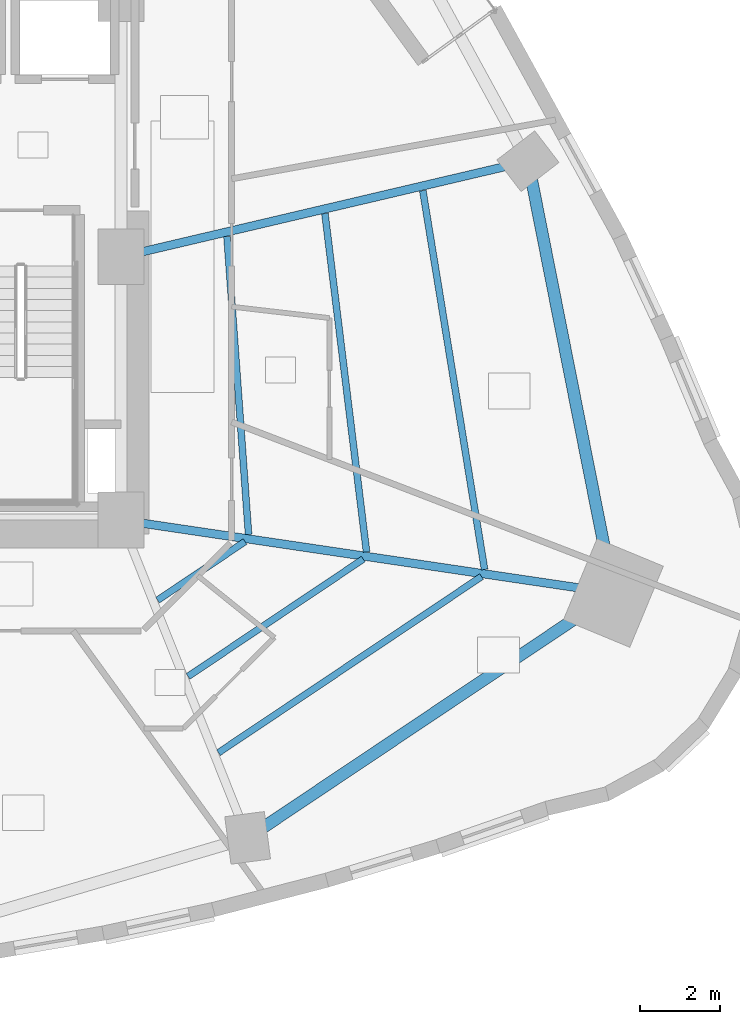
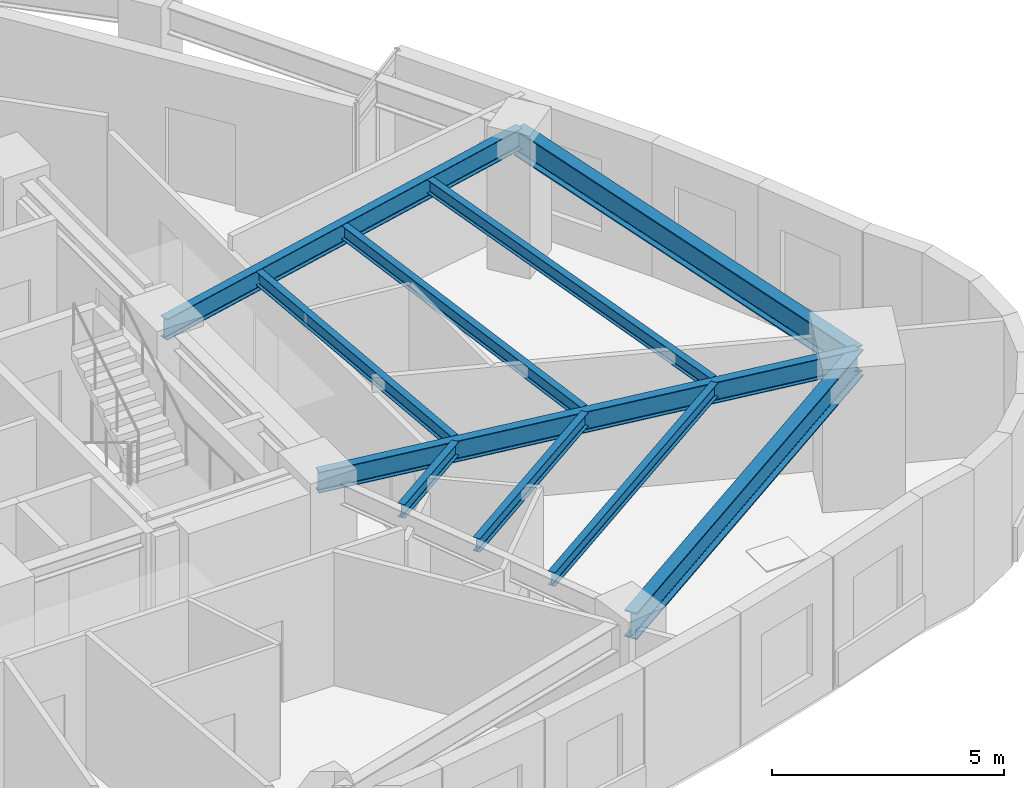
# One storey, part 3 of 15: 10 beams.
"""IFC4 building model written with IfcOpenShell, lengths in metres."""

from ifc_helpers import new_model, si_unit, direction, frame, origin, origin_2d, place, context, subcontext, project, spatial, i_section, extrude, material, material_profile, profile_set, type_object, element, save


model = new_model("IFC4")

# Units and contexts
model_context = context("Model", 3, precision=1e-05, world=origin(), true_north=direction((0.0, 1.0)))
body_context = subcontext(model_context, "Body", "Model", "MODEL_VIEW")
ifc_project = project(units=[si_unit("LENGTHUNIT", "METRE"), si_unit("AREAUNIT", "SQUARE_METRE"), si_unit("VOLUMEUNIT", "CUBIC_METRE"), si_unit("PLANEANGLEUNIT", "RADIAN"), si_unit("MASSUNIT", "GRAM", prefix="KILO")], contexts=[model_context])

# Site, building, storey
site_placement = place(None, origin())
site = spatial("IfcSite", under=ifc_project, at=site_placement, CompositionType="ELEMENT")
building_placement = place(site_placement, origin())
building = spatial("IfcBuilding", under=site, at=building_placement, Name="Ndelora Gate Hotel", CompositionType="ELEMENT")
storey_placement = place(building_placement, frame((0.0, 0.0, 53.0)))
storey = spatial("IfcBuildingStorey", under=building, at=storey_placement, Name="L12", CompositionType="ELEMENT", Elevation=53.0)

# Beams
ifc_material = material(Name="Steel S355", Category="steel")
ifc_material_profile_1 = material_profile(ifc_material, i_section(OverallWidth=0.169921875, OverallDepth=0.360107421875, WebThickness=0.008056640625, FlangeThickness=0.0126953125, FilletRadius=0.01806640625, at=origin_2d()), Name="IPE 360")
ifc_profile_set_1 = profile_set([ifc_material_profile_1], Name="Steel S355")
beam_type_1 = type_object("IfcBeamType", Name="BM-JST-360", PredefinedType="JOIST", material=ifc_profile_set_1)
beam_1_placement = place(storey_placement, frame((8.922119140625, -8.608154296875, 3.320068359375), z_axis=(0.830952990267, 0.556342635402, 0.0), x_axis=(-0.556342635402, 0.830952990267, 0.0)))
element("IfcBeam", 1, at=beam_1_placement, inside=storey, type_object=beam_type_1, Name="L12 Secondary Composite Floor Joist IN-8", PredefinedType="JOIST", context=body_context, shape_type="SweptSolid", body=[
    extrude(i_section(OverallWidth=0.169921875, OverallDepth=0.360107421875, WebThickness=0.008056640625, FlangeThickness=0.0126953125, FilletRadius=0.01806640625, at=origin_2d()), origin(), (0.0, 0.0, 1.0), 2.6396484375),
])
beam_2_placement = place(storey_placement, frame((9.685302734375, -10.520751953125, 3.320068359375), z_axis=(0.83093347578, 0.556371781121, 0.0), x_axis=(-0.556371781121, 0.83093347578, 0.0)))
element("IfcBeam", 2, at=beam_2_placement, inside=storey, type_object=beam_type_1, Name="L12 Secondary Composite Floor Joist MID-8", PredefinedType="JOIST", context=body_context, shape_type="SweptSolid", body=[
    extrude(i_section(OverallWidth=0.169921875, OverallDepth=0.360107421875, WebThickness=0.008056640625, FlangeThickness=0.0126953125, FilletRadius=0.01806640625, at=origin_2d()), origin(), (0.0, 0.0, 1.0), 5.2880859375),
])
beam_3_placement = place(storey_placement, frame((10.448486328125, -12.433349609375, 3.320068359375), z_axis=(0.830936507521, 0.556367253231, 0.0), x_axis=(-0.556367253231, 0.830936507521, 0.0)))
element("IfcBeam", 3, at=beam_3_placement, inside=storey, type_object=beam_type_1, Name="L12 Secondary Composite Floor Joist OUT-8", PredefinedType="JOIST", context=body_context, shape_type="SweptSolid", body=[
    extrude(i_section(OverallWidth=0.169921875, OverallDepth=0.360107421875, WebThickness=0.008056640625, FlangeThickness=0.0126953125, FilletRadius=0.01806640625, at=origin_2d()), origin(), (0.0, 0.0, 1.0), 7.936767578125),
])
beam_4_placement = place(storey_placement, frame((11.20263671875, -6.9609375, 3.320068359375), z_axis=(-0.072176031603, 0.997391909162, 0.0), x_axis=(-0.997391909162, -0.072176031603, 0.0)))
element("IfcBeam", 4, at=beam_4_placement, inside=storey, type_object=beam_type_1, Name="L12 Secondary Composite Floor Joist IN-9", PredefinedType="JOIST", context=body_context, shape_type="SweptSolid", body=[
    extrude(i_section(OverallWidth=0.169921875, OverallDepth=0.360107421875, WebThickness=0.008056640625, FlangeThickness=0.0126953125, FilletRadius=0.01806640625, at=origin_2d()), origin(), (0.0, 0.0, 1.0), 7.489013671875),
])
beam_5_placement = place(storey_placement, frame((14.160888671875, -7.400390625, 3.320068359375), z_axis=(-0.122030984704, 0.992526291225, 0.0), x_axis=(-0.992526291225, -0.122030984704, 0.0)))
element("IfcBeam", 5, at=beam_5_placement, inside=storey, type_object=beam_type_1, Name="L12 Secondary Composite Floor Joist MID-9", PredefinedType="JOIST", context=body_context, shape_type="SweptSolid", body=[
    extrude(i_section(OverallWidth=0.169921875, OverallDepth=0.360107421875, WebThickness=0.008056640625, FlangeThickness=0.0126953125, FilletRadius=0.01806640625, at=origin_2d()), origin(), (0.0, 0.0, 1.0), 8.548828125),
])
beam_6_placement = place(storey_placement, frame((17.12060546875, -7.840087890625, 3.320068359375), z_axis=(-0.160901992796, 0.986970388975, 0.0), x_axis=(-0.986970388975, -0.160901992796, 0.0)))
element("IfcBeam", 6, at=beam_6_placement, inside=storey, type_object=beam_type_1, Name="L12 Secondary Composite Floor Joist OUT-9", PredefinedType="JOIST", context=body_context, shape_type="SweptSolid", body=[
    extrude(i_section(OverallWidth=0.169921875, OverallDepth=0.360107421875, WebThickness=0.008056640625, FlangeThickness=0.0126953125, FilletRadius=0.01806640625, at=origin_2d()), origin(), (0.0, 0.0, 1.0), 9.6259765625),
])
ifc_material_profile_2 = material_profile(ifc_material, i_section(OverallWidth=0.2099609375, OverallDepth=0.550048828125, WebThickness=0.010986328125, FlangeThickness=0.01708984375, FilletRadius=0.02392578125, at=origin_2d()), Name="IPE 550")
ifc_profile_set_2 = profile_set([ifc_material_profile_2], Name="Steel S355")
beam_type_2 = type_object("IfcBeamType", Name="BM-RAD-550", PredefinedType="BEAM", material=ifc_profile_set_2)
beam_7_placement = place(storey_placement, frame((8.0, -6.60009765625, 3.22509765625), z_axis=(0.989209761041, -0.146506138649, 0.0), x_axis=(0.146506138649, 0.989209761041, 0.0)))
element("IfcBeam", 7, at=beam_7_placement, inside=storey, type_object=beam_type_2, Name="L12 Radial Floor Girder 9", PredefinedType="BEAM", context=body_context, shape_type="SweptSolid", body=[
    extrude(i_section(OverallWidth=0.2099609375, OverallDepth=0.550048828125, WebThickness=0.010986328125, FlangeThickness=0.01708984375, FilletRadius=0.02392578125, at=origin_2d()), origin(), (0.0, 0.0, 1.0), 12.48486328125),
])
beam_8_placement = place(storey_placement, frame((8.0, 0.0, 3.22509765625), z_axis=(0.973517848051, 0.22861102232, 0.0), x_axis=(-0.22861102232, 0.973517848051, 0.0)))
element("IfcBeam", 8, at=beam_8_placement, inside=storey, type_object=beam_type_2, Name="L12 Radial Floor Girder 10", PredefinedType="BEAM", context=body_context, shape_type="SweptSolid", body=[
    extrude(i_section(OverallWidth=0.2099609375, OverallDepth=0.550048828125, WebThickness=0.010986328125, FlangeThickness=0.01708984375, FilletRadius=0.02392578125, at=origin_2d()), origin(), (0.0, 0.0, 1.0), 10.48486328125),
])
ifc_material_profile_3 = material_profile(ifc_material, i_section(OverallWidth=0.300048828125, OverallDepth=0.699951171875, WebThickness=0.01708984375, FlangeThickness=0.031982421875, FilletRadius=0.027099609375, at=origin_2d()), Name="HEB 700")
ifc_profile_set_3 = profile_set([ifc_material_profile_3], Name="Steel S355")
beam_type_3 = type_object("IfcBeamType", Name="BM-RING-700", PredefinedType="SPANDREL", material=ifc_profile_set_3)
beam_9_placement = place(storey_placement, frame((11.179443359375, -14.5693359375, 3.14990234375), z_axis=(0.830945983886, 0.556353099985, 0.0), x_axis=(-0.556353099985, 0.830945983886, 0.0)))
element("IfcBeam", 9, at=beam_9_placement, inside=storey, type_object=beam_type_3, Name="L12 Perimeter Spandrel Girder 8", PredefinedType="SPANDREL", context=body_context, shape_type="SweptSolid", body=[
    extrude(i_section(OverallWidth=0.300048828125, OverallDepth=0.699951171875, WebThickness=0.01708984375, FlangeThickness=0.031982421875, FilletRadius=0.027099609375, at=origin_2d()), origin(), (0.0, 0.0, 1.0), 11.036376953125),
])
beam_10_placement = place(storey_placement, frame((20.35009765625, -8.42919921875, 3.14990234375), z_axis=(-0.194163071691, 0.980969266385, 0.0), x_axis=(-0.980969266385, -0.194163071691, 0.0)))
element("IfcBeam", 10, at=beam_10_placement, inside=storey, type_object=beam_type_3, Name="L12 Perimeter Spandrel Girder 9", PredefinedType="SPANDREL", context=body_context, shape_type="SweptSolid", body=[
    extrude(i_section(OverallWidth=0.300048828125, OverallDepth=0.699951171875, WebThickness=0.01708984375, FlangeThickness=0.031982421875, FilletRadius=0.027099609375, at=origin_2d()), origin(), (0.0, 0.0, 1.0), 11.0361328125),
])

save(model, "model.ifc")
